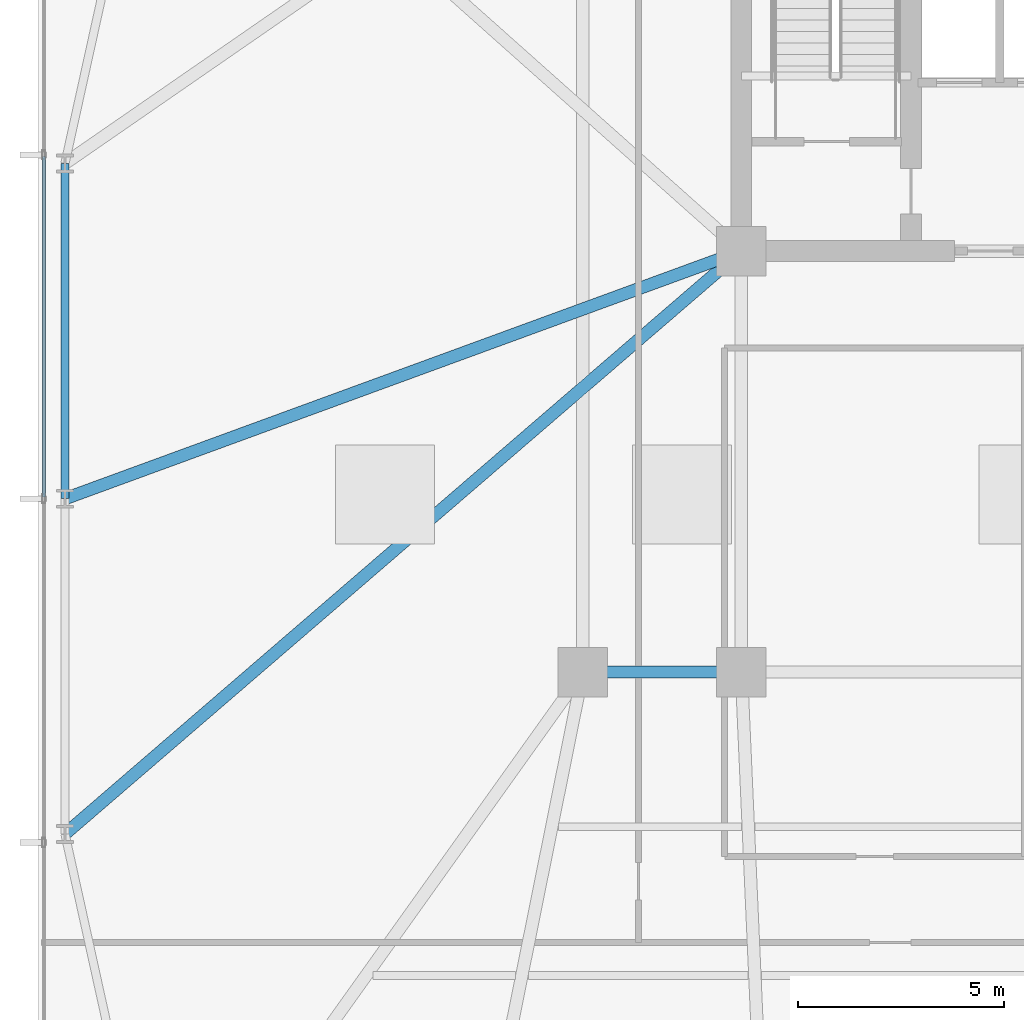
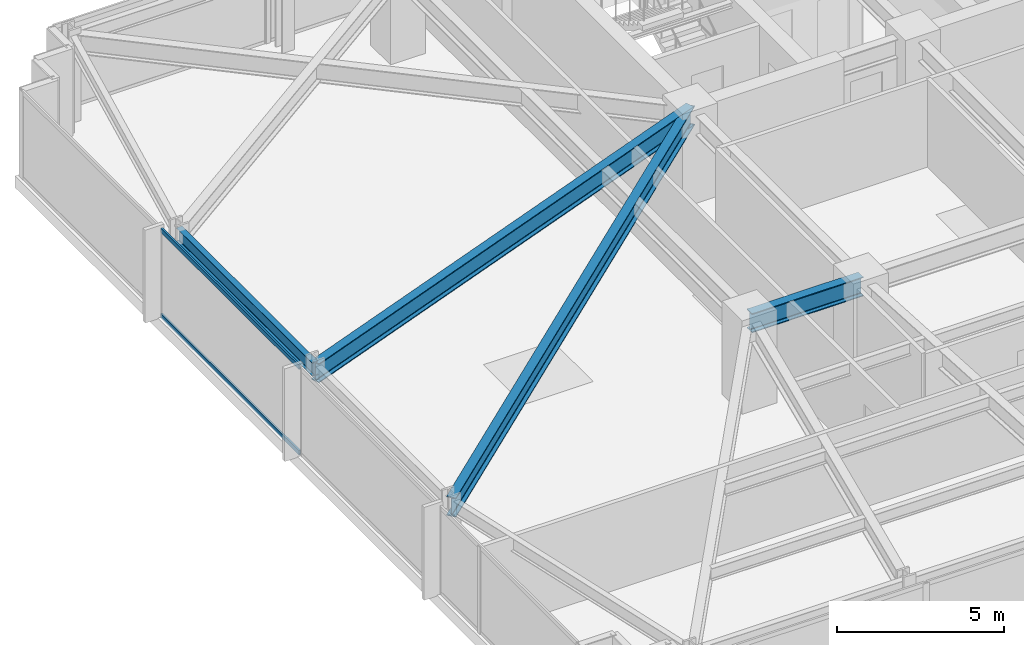
# One storey, part 8 of 31: 4 beams, 2 members, 1 element without a shape of its own.
"""IFC4 building model written with IfcOpenShell, lengths in metres."""

from ifc_helpers import new_model, si_unit, direction, frame, origin, origin_2d, place, context, subcontext, project, spatial, hollow_rectangle, i_section, extrude, material, material_profile, profile_set, type_object, element, aggregate, save


model = new_model("IFC4")

# Units and contexts
model_context = context("Model", 3, precision=1e-05, world=origin(), true_north=direction((0.0, 1.0)))
body_context = subcontext(model_context, "Body", "Model", "MODEL_VIEW")
ifc_project = project(units=[si_unit("LENGTHUNIT", "METRE"), si_unit("AREAUNIT", "SQUARE_METRE"), si_unit("VOLUMEUNIT", "CUBIC_METRE"), si_unit("PLANEANGLEUNIT", "RADIAN"), si_unit("MASSUNIT", "GRAM", prefix="KILO")], contexts=[model_context])

# Site, building, storey
site_placement = place(None, origin())
site = spatial("IfcSite", under=ifc_project, at=site_placement, CompositionType="ELEMENT")
building_placement = place(site_placement, origin())
building = spatial("IfcBuilding", under=site, at=building_placement, Name="Yelkora Congress Tower", CompositionType="ELEMENT")
storey_placement = place(building_placement, frame((0.0, 0.0, 30.39990234375)))
storey = spatial("IfcBuildingStorey", under=building, at=storey_placement, Name="L06", CompositionType="ELEMENT", Elevation=30.39990234375)

# Beams
ifc_material_1 = material(Name="Steel S355J2", Category="steel")
ifc_material_profile_1 = material_profile(ifc_material_1, i_section(OverallWidth=0.300048828125, OverallDepth=0.699951171875, WebThickness=0.01708984375, FlangeThickness=0.031982421875, FilletRadius=0.027099609375, at=origin_2d()), Name="HEB 700")
ifc_profile_set_1 = profile_set([ifc_material_profile_1], Name="Steel S355J2")
beam_type_1 = type_object("IfcBeamType", Name="BM-GIRD-HEB700", PredefinedType="BEAM", material=ifc_profile_set_1)
beam_1_placement = place(storey_placement, frame((19.199951171875, 25.199951171875, 2.830078125), z_axis=(1.0, 0.0, 0.0), x_axis=(0.0, 1.0, 0.0)))
element("IfcBeam", 1, at=beam_1_placement, inside=storey, type_object=beam_type_1, Name="L06 Spine Grid D Girder 1", PredefinedType="BEAM", context=body_context, shape_type="SweptSolid", body=[
    extrude(i_section(OverallWidth=0.300048828125, OverallDepth=0.699951171875, WebThickness=0.01708984375, FlangeThickness=0.031982421875, FilletRadius=0.027099609375, at=origin_2d()), origin(), (0.0, 0.0, 1.0), 3.840087890625),
])
beam_2_placement = place(storey_placement, frame((6.64990234375, 21.27490234375, 2.830078125), z_axis=(0.757511165967, 0.652822206604, 0.0), x_axis=(-0.652822206604, 0.757511165967, 0.0)))
element("IfcBeam", 2, at=beam_2_placement, inside=storey, type_object=beam_type_1, Name="L06 Primary Frame Girder W01", PredefinedType="BEAM", context=body_context, shape_type="SweptSolid", body=[
    extrude(i_section(OverallWidth=0.300048828125, OverallDepth=0.699951171875, WebThickness=0.01708984375, FlangeThickness=0.031982421875, FilletRadius=0.027099609375, at=origin_2d()), origin(), (0.0, 0.0, 1.0), 21.63671875),
])
beam_3_placement = place(storey_placement, frame((6.64990234375, 29.39990234375, 2.830078125), z_axis=(0.939056124561, 0.343763865064, 0.0), x_axis=(-0.343763865064, 0.939056124561, 0.0)))
element("IfcBeam", 3, at=beam_3_placement, inside=storey, type_object=beam_type_1, Name="L06 Primary Frame Girder W02", PredefinedType="BEAM", context=body_context, shape_type="SweptSolid", body=[
    extrude(i_section(OverallWidth=0.300048828125, OverallDepth=0.699951171875, WebThickness=0.01708984375, FlangeThickness=0.031982421875, FilletRadius=0.027099609375, at=origin_2d()), origin(), (0.0, 0.0, 1.0), 17.453857421875),
])
ifc_material_profile_2 = material_profile(ifc_material_1, i_section(OverallWidth=0.199951171875, OverallDepth=0.5, WebThickness=0.01025390625, FlangeThickness=0.01611328125, FilletRadius=0.02099609375, at=origin_2d()), Name="IPE 500")
ifc_profile_set_2 = profile_set([ifc_material_profile_2], Name="Steel S355J2")
beam_type_2 = type_object("IfcBeamType", Name="BM-SPAN-IPE500", PredefinedType="SPANDREL", material=ifc_profile_set_2)
beam_4_placement = place(storey_placement, frame((6.64990234375, 37.52490234375, 2.93017578125), z_axis=(0.0, -1.0, 0.0), x_axis=(1.0, 0.0, 0.0)))
element("IfcBeam", 4, at=beam_4_placement, inside=storey, type_object=beam_type_2, Name="L06 Perimeter Beam 18", PredefinedType="SPANDREL", context=body_context, shape_type="SweptSolid", body=[
    extrude(i_section(OverallWidth=0.199951171875, OverallDepth=0.5, WebThickness=0.01025390625, FlangeThickness=0.01611328125, FilletRadius=0.02099609375, at=origin_2d()), origin(), (0.0, 0.0, 1.0), 8.125),
])

# Curtain wall, members
ifc_material_2 = material(Name="Anodised aluminium and insulated glass", Category="aluminium")
curtain_wall_type = type_object("IfcCurtainWallType", Name="CW-SYS-B1", PredefinedType="NOTDEFINED", material=ifc_material_2)
curtain_wall_placement = place(storey_placement, origin())
curtain_wall = element("IfcCurtainWall", 5, at=curtain_wall_placement, inside=storey, type_object=curtain_wall_type, Name="L06 Unitised Curtain Wall 5", PredefinedType="NOTDEFINED")
ifc_material_3 = material(Name="Anodised aluminium 6063-T6", Category="aluminium")
ifc_material_profile_3 = material_profile(ifc_material_3, hollow_rectangle(XDim=0.06494140625, YDim=0.159912109375, WallThickness=0.00390625, at=origin_2d()), Name="ALU 65x160x4")
ifc_profile_set_3 = profile_set([ifc_material_profile_3], Name="Anodised aluminium 6063-T6")
member_type = type_object("IfcMemberType", Name="MEM-TR-B1", PredefinedType="USERDEFINED", material=ifc_profile_set_3)
member_1_placement = place(storey_placement, frame((6.139892578125, 29.4375, 0.03271484375), z_axis=(0.0, 1.0, 0.0), x_axis=(-1.0, 0.0, 0.0)))
member_1 = element("IfcMember", 6, at=member_1_placement, type_object=member_type, Name="CW-B1 transom 3.1", ObjectType="TRANSOM", PredefinedType="USERDEFINED", context=body_context, shape_type="SweptSolid", body=[
    extrude(hollow_rectangle(XDim=0.06494140625, YDim=0.159912109375, WallThickness=0.00390625, at=origin_2d()), origin(), (0.0, 0.0, 1.0), 8.2548828125),
])
member_2_placement = place(storey_placement, frame((6.139892578125, 29.4375, 3.147705078125), z_axis=(0.0, 1.0, 0.0), x_axis=(-1.0, 0.0, 0.0)))
member_2 = element("IfcMember", 7, at=member_2_placement, type_object=member_type, Name="CW-B1 transom 3.2", ObjectType="TRANSOM", PredefinedType="USERDEFINED", context=body_context, shape_type="SweptSolid", body=[
    extrude(hollow_rectangle(XDim=0.06494140625, YDim=0.159912109375, WallThickness=0.00390625, at=origin_2d()), origin(), (0.0, 0.0, 1.0), 8.2548828125),
])
aggregate(curtain_wall, [member_1, member_2])

save(model, "model.ifc")
